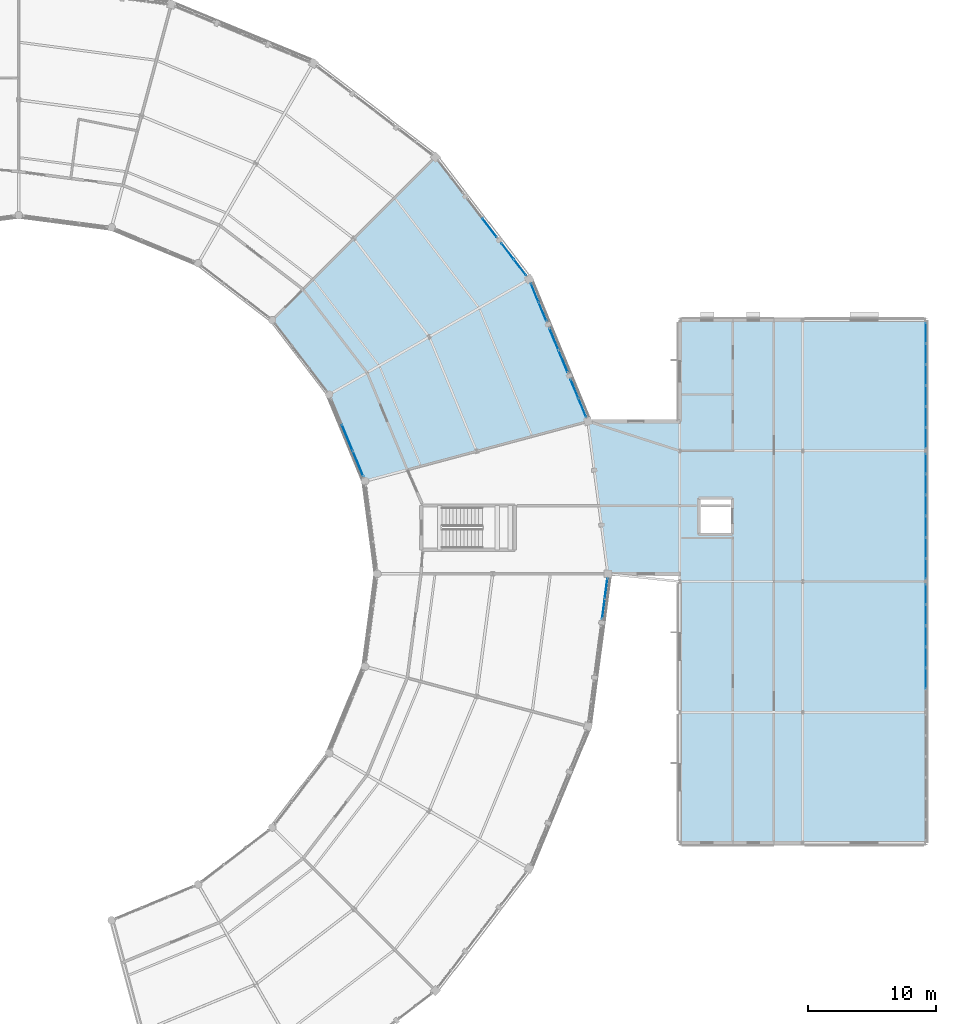
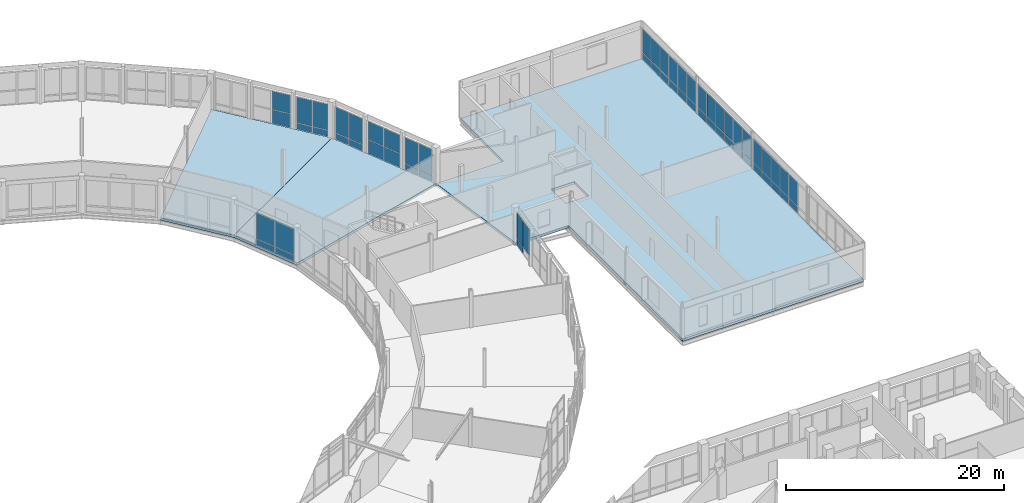
# One storey, part 134 of 170: 59 plates, 3 slabs, 10 elements without a shape of their own.
"""IFC4 building model written with IfcOpenShell, lengths in metres."""

import ifcopenshell
import ifcopenshell.guid

model = None  # the IFC model being written
_history = None  # IfcOwnerHistory: only IFC2X3 demands one
_inside = {}  # id of a spatial element -> (the spatial element, [elements in it])
_under = {}  # id of a project, library or spatial element -> (it, [spatial elements below it])
_declared = {}  # id of a project -> (the project, [libraries it declares])
_typed = {}  # id of a type object -> (the type object, [elements of that type])
_made_of = {}  # id of a material, layer set ... -> (it, [elements and type objects made of it])


def new_model(schema):
    """Start an empty IFC model of exactly this schema.

    Asked for "IFC4X3", IfcOpenShell would pick the latest addendum, in which some entities
    have other attributes; the version numbers below select the first issue.
    IFC2X3 requires an IfcOwnerHistory on every rooted entity: one is made here for all.
    """
    global model, _history
    if schema == "IFC4X3":
        model = ifcopenshell.file(schema_version=(4, 3, 0, 0))
    else:
        model = ifcopenshell.file(schema=schema)
    _inside.clear()
    _under.clear()
    _declared.clear()
    _typed.clear()
    _made_of.clear()
    _history = None
    if model.schema == "IFC2X3":
        org = make("IfcOrganization", Name="unknown")
        user = make(
            "IfcPersonAndOrganization",
            ThePerson=make("IfcPerson", FamilyName="unknown"),
            TheOrganization=org,
        )
        app = make(
            "IfcApplication",
            ApplicationDeveloper=org,
            Version="unknown",
            ApplicationFullName="unknown",
            ApplicationIdentifier="unknown",
        )
        _history = make(
            "IfcOwnerHistory",
            OwningUser=user,
            OwningApplication=app,
            ChangeAction="ADDED",
            CreationDate=0,
        )
    return model


def make(cls, **values):
    """One entity of the class cls with the attributes given. An attribute that is None is left unset."""
    return model.create_entity(
        cls, **{name: value for name, value in values.items() if value is not None}
    )


def rooted(cls, **values):
    """An entity with a GlobalId (a new one), such as an element, a storey or a relation."""
    return make(cls, GlobalId=ifcopenshell.guid.new(), OwnerHistory=_history, **values)


def si_unit(unit_type, name, prefix=None):
    """IfcSIUnit, for example si_unit("LENGTHUNIT", "METRE", prefix="MILLI")."""
    return make("IfcSIUnit", UnitType=unit_type, Prefix=prefix, Name=name)


def assignment(units):
    """IfcUnitAssignment: the units of a project."""
    return None if units is None else make("IfcUnitAssignment", Units=units)


def point(xyz):
    """IfcCartesianPoint."""
    return None if xyz is None else make("IfcCartesianPoint", Coordinates=xyz)


def direction(xyz):
    """IfcDirection."""
    return None if xyz is None else make("IfcDirection", DirectionRatios=xyz)


def frame(location, z_axis=None, x_axis=None):
    """IfcAxis2Placement3D, a coordinate frame: its origin and axes. An axis left out is left unset."""
    return make(
        "IfcAxis2Placement3D",
        Location=point(location),
        Axis=direction(z_axis),
        RefDirection=direction(x_axis),
    )


def frame_2d(location, x_axis=None):
    """IfcAxis2Placement2D, a coordinate frame in the plane: its origin and x axis."""
    return make(
        "IfcAxis2Placement2D", Location=point(location), RefDirection=direction(x_axis)
    )


def origin():
    """The frame at (0, 0, 0) with its axes left unset."""
    return frame((0.0, 0.0, 0.0))


def origin_2d():
    """The frame at (0, 0) in the plane with its x axis left unset."""
    return frame_2d((0.0, 0.0))


def place(relative_to, where):
    """IfcLocalPlacement: puts the frame where relative to a parent placement (None: the world)."""
    return make(
        "IfcLocalPlacement", PlacementRelTo=relative_to, RelativePlacement=where
    )


def context(
    kind, dimensions, precision=None, world=None, true_north=None, identifier=None
):
    """IfcGeometricRepresentationContext, for example the 3D "Model" context."""
    return make(
        "IfcGeometricRepresentationContext",
        ContextIdentifier=identifier,
        ContextType=kind,
        CoordinateSpaceDimension=dimensions,
        Precision=precision,
        WorldCoordinateSystem=world,
        TrueNorth=true_north,
    )


def subcontext(parent, identifier, kind, view, scale=None):
    """IfcGeometricRepresentationSubContext, for example "Body" below "Model"."""
    return make(
        "IfcGeometricRepresentationSubContext",
        ContextIdentifier=identifier,
        ContextType=kind,
        ParentContext=parent,
        TargetScale=scale,
        TargetView=view,
    )


def project(units=None, contexts=None):
    """IfcProject with its units and contexts."""
    return rooted(
        "IfcProject",
        Name="project",
        RepresentationContexts=contexts,
        UnitsInContext=assignment(units),
    )


def spatial(cls, under=None, at=None, **own):
    """A site, building, storey or space (cls), placed at a placement, below another one or the project."""
    s = rooted(cls, ObjectPlacement=at, **own)
    if under is not None:
        _under.setdefault(under.id(), (under, []))[1].append(s)
    return s


def polyline(points):
    """IfcPolyline through the points."""
    return make("IfcPolyline", Points=[point(p) for p in points])


def profile(cls, at=None, kind="AREA", **sizes):
    """A parametric profile (cls). Its sizes go by their IFC names, for example OverallWidth=200.0."""
    return make(cls, ProfileType=kind, Position=at, **sizes)


def rectangle(**sizes):
    """IfcRectangleProfileDef."""
    return profile("IfcRectangleProfileDef", **sizes)


def outline(outer, holes=None, kind="AREA"):
    """IfcArbitraryClosedProfileDef: a profile drawn as a closed curve; with holes, ...WithVoids."""
    if holes is None:
        return make("IfcArbitraryClosedProfileDef", ProfileType=kind, OuterCurve=outer)
    return make(
        "IfcArbitraryProfileDefWithVoids",
        ProfileType=kind,
        OuterCurve=outer,
        InnerCurves=holes,
    )


def extrude(swept, where, along, depth):
    """IfcExtrudedAreaSolid: the profile swept, set in the frame where, extruded along a direction by depth."""
    return make(
        "IfcExtrudedAreaSolid",
        SweptArea=swept,
        Position=where,
        ExtrudedDirection=direction(along),
        Depth=depth,
    )


def shape(context_of_items, identifier, shape_type, items):
    """IfcShapeRepresentation: the items that make up one representation, for example the "Body"."""
    return make(
        "IfcShapeRepresentation",
        ContextOfItems=context_of_items,
        RepresentationIdentifier=identifier,
        RepresentationType=shape_type,
        Items=items,
    )


def material(Name=None, Category=None):
    """IfcMaterial."""
    return make("IfcMaterial", Name=Name, Category=Category)


def layer(
    of_material, thickness, ventilated=None, Name=None, Category=None, Priority=None
):
    """IfcMaterialLayer: one layer of a wall or slab, of a material (None: an air gap)."""
    return make(
        "IfcMaterialLayer",
        Material=of_material,
        LayerThickness=thickness,
        IsVentilated=ventilated,
        Name=Name,
        Category=Category,
        Priority=Priority,
    )


def layer_set(layers, Name=None):
    """IfcMaterialLayerSet."""
    return make("IfcMaterialLayerSet", MaterialLayers=layers, LayerSetName=Name)


def made_of(thing, what):
    """Note that an element or type object is made of a material, layer set ...; save() writes the relation."""
    if what is not None:
        _made_of.setdefault(what.id(), (what, []))[1].append(thing)
    return thing


def type_object(cls, material=None, **own):
    """A type object (cls), such as IfcWallType, which elements share."""
    return made_of(rooted(cls, **own), material)


def element(
    cls,
    number,
    at=None,
    inside=None,
    cuts=None,
    type_object=None,
    material=None,
    context=None,
    identifier="Body",
    shape_type=None,
    held_by="IfcProductDefinitionShape",
    body=None,
    shapes=None,
    **own,
):
    """One element of the class cls, such as IfcWall. Its Tag is "e" and its number.

    at: its placement. inside: the storey or other place that contains it. cuts: it is an
    opening in that element (IfcRelVoidsElement). A single representation is given by context,
    identifier, shape_type and body (its items); several are given by shapes. held_by: the class
    of the entity that holds the representations. save() writes the other relations.
    """
    e = rooted(cls, Tag="e%d" % number, ObjectPlacement=at, **own)
    if body is not None:
        shapes = [shape(context, identifier, shape_type, body)]
    if shapes is not None:
        e.Representation = make(held_by, Representations=shapes)
    if inside is not None:
        _inside.setdefault(inside.id(), (inside, []))[1].append(e)
    if cuts is not None:
        rooted(
            "IfcRelVoidsElement", RelatingBuildingElement=cuts, RelatedOpeningElement=e
        )
    if type_object is not None:
        _typed.setdefault(type_object.id(), (type_object, []))[1].append(e)
    return made_of(e, material)


def aggregate(whole, parts):
    """IfcRelAggregates: a whole, such as a stair, and the parts it consists of."""
    return rooted("IfcRelAggregates", RelatingObject=whole, RelatedObjects=parts)


def save(model, path):
    """Write the relations noted so far, then the file.

    IfcRelAggregates (storeys below a building ...), IfcRelContainedInSpatialStructure (elements
    in a storey), IfcRelDefinesByType, IfcRelAssociatesMaterial and IfcRelDeclares: one each for
    every whole, place, type object, material and project.
    """
    for whole, parts in _under.values():
        aggregate(whole, parts)
    for where, things in _inside.values():
        rooted(
            "IfcRelContainedInSpatialStructure",
            RelatedElements=things,
            RelatingStructure=where,
        )
    for kind, things in _typed.values():
        rooted("IfcRelDefinesByType", RelatedObjects=things, RelatingType=kind)
    for what, things in _made_of.values():
        rooted("IfcRelAssociatesMaterial", RelatedObjects=things, RelatingMaterial=what)
    for by, libraries in _declared.values():
        rooted("IfcRelDeclares", RelatingContext=by, RelatedDefinitions=libraries)
    model.write(path)


model = new_model("IFC4")

# Units and contexts
model_context = context("Model", 3, precision=1e-05, world=origin(), true_north=direction((0.0, 1.0)))
body_context = subcontext(model_context, "Body", "Model", "MODEL_VIEW")
ifc_project = project(units=[si_unit("LENGTHUNIT", "METRE"), si_unit("AREAUNIT", "SQUARE_METRE"), si_unit("VOLUMEUNIT", "CUBIC_METRE"), si_unit("PLANEANGLEUNIT", "RADIAN"), si_unit("MASSUNIT", "GRAM", prefix="KILO")], contexts=[model_context])

# Site, building, storey
site_placement = place(None, origin())
site = spatial("IfcSite", under=ifc_project, at=site_placement, CompositionType="ELEMENT")
building_placement = place(site_placement, origin())
building = spatial("IfcBuilding", under=site, at=building_placement, Name="Vondelvale Polytechnic", CompositionType="ELEMENT")
storey_placement = place(building_placement, frame((0.0, 0.0, 5.39990234375)))
storey = spatial("IfcBuildingStorey", under=building, at=storey_placement, Name="L01", CompositionType="ELEMENT", Elevation=5.39990234375)

# Curtain wall, plates
ifc_material_1 = material(Name="Anodised extruded aluminium 6063-T6", Category="aluminium")
curtain_wall_type_1 = type_object("IfcCurtainWallType", Name="CW-RING-CLOISTER", PredefinedType="NOTDEFINED", material=ifc_material_1)
curtain_wall_1_placement = place(storey_placement, origin())
curtain_wall_1 = element("IfcCurtainWall", 1, at=curtain_wall_1_placement, inside=storey, type_object=curtain_wall_type_1, Name="L01 architectural curtain wall CW-03-077", PredefinedType="NOTDEFINED")
ifc_material_2 = material(Name="Double-glazed low-E insulated architectural glass", Category="glass")
ifc_layer_1 = layer(ifc_material_2, 0.028076171875)
ifc_layer_set_1 = layer_set([ifc_layer_1], Name="CW-PANEL-GLAZED")
plate_type_1 = type_object("IfcPlateType", Name="CW-PANEL-GLAZED", PredefinedType="CURTAIN_PANEL", material=ifc_layer_set_1)
plate_1_placement = place(storey_placement, frame((128.48876953125, 80.591796875, 0.78271484375), z_axis=(0.0, 0.0, 1.0), x_axis=(-0.382678531697, 0.923881562419, 0.0)))
plate_1 = element("IfcPlate", 2, at=plate_1_placement, type_object=plate_type_1, Name="CW-03-077 panel 1.2", PredefinedType="CURTAIN_PANEL", context=body_context, shape_type="SweptSolid", body=[
    extrude(rectangle(XDim=2.111572265625, YDim=0.028076171875, at=origin_2d()), origin(), (0.0, 0.0, 1.0), 2.902587890625),
])
plate_2_placement = place(storey_placement, frame((127.647216796875, 82.62353515625, 0.78271484375), z_axis=(0.0, 0.0, 1.0), x_axis=(-0.382678531697, 0.923881562419, 0.0)))
plate_2 = element("IfcPlate", 3, at=plate_2_placement, type_object=plate_type_1, Name="CW-03-077 panel 2.2", PredefinedType="CURTAIN_PANEL", context=body_context, shape_type="SweptSolid", body=[
    extrude(rectangle(XDim=2.146484375, YDim=0.028076171875, at=origin_2d()), origin(), (0.0, 0.0, 1.0), 2.902587890625),
])

ifc_material_3 = material(Name="Glulam GL18 structural Tasmanian oak (fb = 42 MPa)", Category="wood")
curtain_wall_type_2 = type_object("IfcCurtainWallType", Name="CW-RING-OUTER", PredefinedType="NOTDEFINED", material=ifc_material_3)
curtain_wall_2_placement = place(storey_placement, origin())
curtain_wall_2 = element("IfcCurtainWall", 4, at=curtain_wall_2_placement, inside=storey, type_object=curtain_wall_type_2, Name="L01 architectural curtain wall CW-04-078", PredefinedType="NOTDEFINED")
plate_3_placement = place(storey_placement, frame((145.98779296875, 84.97998046875, 0.7802734375), z_axis=(0.0, 0.0, 1.0), x_axis=(-0.382677394529, 0.923882033442, 0.0)))
plate_3 = element("IfcPlate", 5, at=plate_3_placement, type_object=plate_type_1, Name="CW-04-078 panel 1.2", PredefinedType="CURTAIN_PANEL", context=body_context, shape_type="SweptSolid", body=[
    extrude(rectangle(XDim=1.530029296875, YDim=0.028076171875, at=origin_2d()), origin(), (0.0, 0.0, 1.0), 2.8798828125),
])
plate_4_placement = place(storey_placement, frame((145.377197265625, 86.453369140625, 0.7802734375), z_axis=(0.0, 0.0, 1.0), x_axis=(-0.382677394529, 0.923882033442, 0.0)))
plate_4 = element("IfcPlate", 6, at=plate_4_placement, type_object=plate_type_1, Name="CW-04-078 panel 2.2", PredefinedType="CURTAIN_PANEL", context=body_context, shape_type="SweptSolid", body=[
    extrude(rectangle(XDim=1.530029296875, YDim=0.028076171875, at=origin_2d()), origin(), (0.0, 0.0, 1.0), 2.8798828125),
])

curtain_wall_3_placement = place(storey_placement, origin())
curtain_wall_3 = element("IfcCurtainWall", 7, at=curtain_wall_3_placement, inside=storey, type_object=curtain_wall_type_2, Name="L01 architectural curtain wall CW-04-079", PredefinedType="NOTDEFINED")
plate_5_placement = place(storey_placement, frame((144.493408203125, 88.587158203125, 1.6298828125), z_axis=(0.0, 0.0, 1.0), x_axis=(-0.382694599123, 0.92387490701, 0.0)))
plate_5 = element("IfcPlate", 8, at=plate_5_placement, type_object=plate_type_1, Name="CW-04-079 panel 1.2", PredefinedType="CURTAIN_PANEL", context=body_context, shape_type="SweptSolid", body=[
    extrude(rectangle(XDim=1.80908203125, YDim=0.028076171875, at=origin_2d()), origin(), (0.0, 0.0, 1.0), 2.030029296875),
])
plate_6_placement = place(storey_placement, frame((143.7763671875, 90.318603515625, 1.6298828125), z_axis=(0.0, 0.0, 1.0), x_axis=(-0.382694599123, 0.92387490701, 0.0)))
plate_6 = element("IfcPlate", 9, at=plate_6_placement, type_object=plate_type_1, Name="CW-04-079 panel 2.2", PredefinedType="CURTAIN_PANEL", context=body_context, shape_type="SweptSolid", body=[
    extrude(rectangle(XDim=1.80908203125, YDim=0.028076171875, at=origin_2d()), origin(), (0.0, 0.0, 1.0), 2.030029296875),
])

curtain_wall_4_placement = place(storey_placement, origin())
curtain_wall_4 = element("IfcCurtainWall", 10, at=curtain_wall_4_placement, inside=storey, type_object=curtain_wall_type_2, Name="L01 architectural curtain wall CW-04-080", PredefinedType="NOTDEFINED")
plate_7_placement = place(storey_placement, frame((142.892578125, 92.4521484375, 0.7802734375), z_axis=(0.0, 0.0, 1.0), x_axis=(-0.382677394529, 0.923882033442, 0.0)))
plate_7 = element("IfcPlate", 11, at=plate_7_placement, type_object=plate_type_1, Name="CW-04-080 panel 1.2", PredefinedType="CURTAIN_PANEL", context=body_context, shape_type="SweptSolid", body=[
    extrude(rectangle(XDim=1.530029296875, YDim=0.028076171875, at=origin_2d()), origin(), (0.0, 0.0, 1.0), 2.8798828125),
])
plate_8_placement = place(storey_placement, frame((142.2822265625, 93.92578125, 0.7802734375), z_axis=(0.0, 0.0, 1.0), x_axis=(-0.382677394529, 0.923882033442, 0.0)))
plate_8 = element("IfcPlate", 12, at=plate_8_placement, type_object=plate_type_1, Name="CW-04-080 panel 2.2", PredefinedType="CURTAIN_PANEL", context=body_context, shape_type="SweptSolid", body=[
    extrude(rectangle(XDim=1.530029296875, YDim=0.028076171875, at=origin_2d()), origin(), (0.0, 0.0, 1.0), 2.8798828125),
])

curtain_wall_5_placement = place(storey_placement, origin())
curtain_wall_5 = element("IfcCurtainWall", 13, at=curtain_wall_5_placement, inside=storey, type_object=curtain_wall_type_2, Name="L01 architectural curtain wall CW-04-090", PredefinedType="NOTDEFINED")
plate_9_placement = place(storey_placement, frame((141.12939453125, 95.92236328125, 0.7802734375), z_axis=(0.0, 0.0, 1.0), x_axis=(-0.608786860133, 0.793333825656, 0.0)))
plate_9 = element("IfcPlate", 14, at=plate_9_placement, type_object=plate_type_1, Name="CW-04-090 panel 1.2", PredefinedType="CURTAIN_PANEL", context=body_context, shape_type="SweptSolid", body=[
    extrude(rectangle(XDim=1.530029296875, YDim=0.028076171875, at=origin_2d()), origin(), (0.0, 0.0, 1.0), 2.8798828125),
])
plate_10_placement = place(storey_placement, frame((140.158447265625, 97.187744140625, 0.7802734375), z_axis=(0.0, 0.0, 1.0), x_axis=(-0.608786860133, 0.793333825656, 0.0)))
plate_10 = element("IfcPlate", 15, at=plate_10_placement, type_object=plate_type_1, Name="CW-04-090 panel 2.2", PredefinedType="CURTAIN_PANEL", context=body_context, shape_type="SweptSolid", body=[
    extrude(rectangle(XDim=1.530029296875, YDim=0.028076171875, at=origin_2d()), origin(), (0.0, 0.0, 1.0), 2.8798828125),
])

curtain_wall_6_placement = place(storey_placement, origin())
curtain_wall_6 = element("IfcCurtainWall", 16, at=curtain_wall_6_placement, inside=storey, type_object=curtain_wall_type_2, Name="L01 architectural curtain wall CW-04-377", PredefinedType="NOTDEFINED")
plate_11_placement = place(storey_placement, frame((147.64013671875, 69.265869140625, 0.7802734375), z_axis=(0.0, 0.0, 1.0), x_axis=(0.130539547729, 0.991443102996, 0.0)))
plate_11 = element("IfcPlate", 17, at=plate_11_placement, type_object=plate_type_1, Name="CW-04-377 panel 1.2", PredefinedType="CURTAIN_PANEL", context=body_context, shape_type="SweptSolid", body=[
    extrude(rectangle(XDim=1.530029296875, YDim=0.028076171875, at=origin_2d()), origin(), (0.0, 0.0, 1.0), 2.8798828125),
])
plate_12_placement = place(storey_placement, frame((147.84814453125, 70.84716796875, 0.7802734375), z_axis=(0.0, 0.0, 1.0), x_axis=(0.130539547729, 0.991443102996, 0.0)))
plate_12 = element("IfcPlate", 18, at=plate_12_placement, type_object=plate_type_1, Name="CW-04-377 panel 2.2", PredefinedType="CURTAIN_PANEL", context=body_context, shape_type="SweptSolid", body=[
    extrude(rectangle(XDim=1.530029296875, YDim=0.028076171875, at=origin_2d()), origin(), (0.0, 0.0, 1.0), 2.8798828125),
])

curtain_wall_type_3 = type_object("IfcCurtainWallType", Name="CW-REFECTORY", PredefinedType="NOTDEFINED", material=ifc_material_1)
curtain_wall_7_placement = place(storey_placement, origin())
curtain_wall_7 = element("IfcCurtainWall", 19, at=curtain_wall_7_placement, inside=storey, type_object=curtain_wall_type_3, Name="L01 architectural curtain wall CW-05-390", PredefinedType="NOTDEFINED")
plate_13_placement = place(storey_placement, frame((172.800048828125, 63.830078125, 0.882568359375), z_axis=(0.0, 0.0, 1.0), x_axis=(0.0, 1.0, 0.0)))
plate_13 = element("IfcPlate", 20, at=plate_13_placement, type_object=plate_type_1, Name="CW-05-390 panel 2.2", PredefinedType="CURTAIN_PANEL", context=body_context, shape_type="SweptSolid", body=[
    extrude(rectangle(XDim=1.57666015625, YDim=0.028076171875, at=origin_2d()), origin(), (0.0, 0.0, 1.0), 2.6025390625),
])
plate_14_placement = place(storey_placement, frame((172.800048828125, 65.4765625, 0.882568359375), z_axis=(0.0, 0.0, 1.0), x_axis=(0.0, 1.0, 0.0)))
plate_14 = element("IfcPlate", 21, at=plate_14_placement, type_object=plate_type_1, Name="CW-05-390 panel 3.2", PredefinedType="CURTAIN_PANEL", context=body_context, shape_type="SweptSolid", body=[
    extrude(rectangle(XDim=1.57666015625, YDim=0.028076171875, at=origin_2d()), origin(), (0.0, 0.0, 1.0), 2.6025390625),
])
plate_15_placement = place(storey_placement, frame((172.800048828125, 67.123291015625, 0.882568359375), z_axis=(0.0, 0.0, 1.0), x_axis=(0.0, 1.0, 0.0)))
plate_15 = element("IfcPlate", 22, at=plate_15_placement, type_object=plate_type_1, Name="CW-05-390 panel 4.2", PredefinedType="CURTAIN_PANEL", context=body_context, shape_type="SweptSolid", body=[
    extrude(rectangle(XDim=1.57666015625, YDim=0.028076171875, at=origin_2d()), origin(), (0.0, 0.0, 1.0), 2.6025390625),
])
plate_16_placement = place(storey_placement, frame((172.800048828125, 68.77001953125, 0.882568359375), z_axis=(0.0, 0.0, 1.0), x_axis=(0.0, 1.0, 0.0)))
plate_16 = element("IfcPlate", 23, at=plate_16_placement, type_object=plate_type_1, Name="CW-05-390 panel 5.2", PredefinedType="CURTAIN_PANEL", context=body_context, shape_type="SweptSolid", body=[
    extrude(rectangle(XDim=1.57666015625, YDim=0.028076171875, at=origin_2d()), origin(), (0.0, 0.0, 1.0), 2.6025390625),
])
plate_17_placement = place(storey_placement, frame((172.800048828125, 70.399169921875, 0.882568359375), z_axis=(0.0, 0.0, 1.0), x_axis=(0.0, 1.0, 0.0)))
plate_17 = element("IfcPlate", 24, at=plate_17_placement, type_object=plate_type_1, Name="CW-05-390 panel 6.2", PredefinedType="CURTAIN_PANEL", context=body_context, shape_type="SweptSolid", body=[
    extrude(rectangle(XDim=1.541748046875, YDim=0.028076171875, at=origin_2d()), origin(), (0.0, 0.0, 1.0), 2.6025390625),
])

curtain_wall_8_placement = place(storey_placement, origin())
curtain_wall_8 = element("IfcCurtainWall", 25, at=curtain_wall_8_placement, inside=storey, type_object=curtain_wall_type_3, Name="L01 architectural curtain wall CW-05-391", PredefinedType="NOTDEFINED")
plate_18_placement = place(storey_placement, frame((172.800048828125, 72.40087890625, 0.882568359375), z_axis=(0.0, 0.0, 1.0), x_axis=(0.0, 1.0, 0.0)))
plate_18 = element("IfcPlate", 26, at=plate_18_placement, type_object=plate_type_1, Name="CW-05-391 panel 1.2", PredefinedType="CURTAIN_PANEL", context=body_context, shape_type="SweptSolid", body=[
    extrude(rectangle(XDim=1.541748046875, YDim=0.028076171875, at=origin_2d()), origin(), (0.0, 0.0, 1.0), 2.6025390625),
])
plate_19_placement = place(storey_placement, frame((172.800048828125, 74.030029296875, 0.882568359375), z_axis=(0.0, 0.0, 1.0), x_axis=(0.0, 1.0, 0.0)))
plate_19 = element("IfcPlate", 27, at=plate_19_placement, type_object=plate_type_1, Name="CW-05-391 panel 2.2", PredefinedType="CURTAIN_PANEL", context=body_context, shape_type="SweptSolid", body=[
    extrude(rectangle(XDim=1.57666015625, YDim=0.028076171875, at=origin_2d()), origin(), (0.0, 0.0, 1.0), 2.6025390625),
])
plate_20_placement = place(storey_placement, frame((172.800048828125, 75.6767578125, 0.882568359375), z_axis=(0.0, 0.0, 1.0), x_axis=(0.0, 1.0, 0.0)))
plate_20 = element("IfcPlate", 28, at=plate_20_placement, type_object=plate_type_1, Name="CW-05-391 panel 3.2", PredefinedType="CURTAIN_PANEL", context=body_context, shape_type="SweptSolid", body=[
    extrude(rectangle(XDim=1.57666015625, YDim=0.028076171875, at=origin_2d()), origin(), (0.0, 0.0, 1.0), 2.6025390625),
])
plate_21_placement = place(storey_placement, frame((172.800048828125, 77.3232421875, 0.882568359375), z_axis=(0.0, 0.0, 1.0), x_axis=(0.0, 1.0, 0.0)))
plate_21 = element("IfcPlate", 29, at=plate_21_placement, type_object=plate_type_1, Name="CW-05-391 panel 4.2", PredefinedType="CURTAIN_PANEL", context=body_context, shape_type="SweptSolid", body=[
    extrude(rectangle(XDim=1.57666015625, YDim=0.028076171875, at=origin_2d()), origin(), (0.0, 0.0, 1.0), 2.6025390625),
])
plate_22_placement = place(storey_placement, frame((172.800048828125, 78.969970703125, 0.882568359375), z_axis=(0.0, 0.0, 1.0), x_axis=(0.0, 1.0, 0.0)))
plate_22 = element("IfcPlate", 30, at=plate_22_placement, type_object=plate_type_1, Name="CW-05-391 panel 5.2", PredefinedType="CURTAIN_PANEL", context=body_context, shape_type="SweptSolid", body=[
    extrude(rectangle(XDim=1.57666015625, YDim=0.028076171875, at=origin_2d()), origin(), (0.0, 0.0, 1.0), 2.6025390625),
])
plate_23_placement = place(storey_placement, frame((172.800048828125, 80.59912109375, 0.882568359375), z_axis=(0.0, 0.0, 1.0), x_axis=(0.0, 1.0, 0.0)))
plate_23 = element("IfcPlate", 31, at=plate_23_placement, type_object=plate_type_1, Name="CW-05-391 panel 6.2", PredefinedType="CURTAIN_PANEL", context=body_context, shape_type="SweptSolid", body=[
    extrude(rectangle(XDim=1.541748046875, YDim=0.028076171875, at=origin_2d()), origin(), (0.0, 0.0, 1.0), 2.6025390625),
])

curtain_wall_9_placement = place(storey_placement, origin())
curtain_wall_9 = element("IfcCurtainWall", 32, at=curtain_wall_9_placement, inside=storey, type_object=curtain_wall_type_3, Name="L01 architectural curtain wall CW-05-392", PredefinedType="NOTDEFINED")
plate_24_placement = place(storey_placement, frame((172.800048828125, 82.600830078125, 0.882568359375), z_axis=(0.0, 0.0, 1.0), x_axis=(0.0, 1.0, 0.0)))
plate_24 = element("IfcPlate", 33, at=plate_24_placement, type_object=plate_type_1, Name="CW-05-392 panel 1.2", PredefinedType="CURTAIN_PANEL", context=body_context, shape_type="SweptSolid", body=[
    extrude(rectangle(XDim=1.541748046875, YDim=0.028076171875, at=origin_2d()), origin(), (0.0, 0.0, 1.0), 2.6025390625),
])
plate_25_placement = place(storey_placement, frame((172.800048828125, 84.22998046875, 0.882568359375), z_axis=(0.0, 0.0, 1.0), x_axis=(0.0, 1.0, 0.0)))
plate_25 = element("IfcPlate", 34, at=plate_25_placement, type_object=plate_type_1, Name="CW-05-392 panel 2.2", PredefinedType="CURTAIN_PANEL", context=body_context, shape_type="SweptSolid", body=[
    extrude(rectangle(XDim=1.57666015625, YDim=0.028076171875, at=origin_2d()), origin(), (0.0, 0.0, 1.0), 2.6025390625),
])
plate_26_placement = place(storey_placement, frame((172.800048828125, 85.876708984375, 0.882568359375), z_axis=(0.0, 0.0, 1.0), x_axis=(0.0, 1.0, 0.0)))
plate_26 = element("IfcPlate", 35, at=plate_26_placement, type_object=plate_type_1, Name="CW-05-392 panel 3.2", PredefinedType="CURTAIN_PANEL", context=body_context, shape_type="SweptSolid", body=[
    extrude(rectangle(XDim=1.57666015625, YDim=0.028076171875, at=origin_2d()), origin(), (0.0, 0.0, 1.0), 2.6025390625),
])
plate_27_placement = place(storey_placement, frame((172.800048828125, 87.5234375, 0.882568359375), z_axis=(0.0, 0.0, 1.0), x_axis=(0.0, 1.0, 0.0)))
plate_27 = element("IfcPlate", 36, at=plate_27_placement, type_object=plate_type_1, Name="CW-05-392 panel 4.2", PredefinedType="CURTAIN_PANEL", context=body_context, shape_type="SweptSolid", body=[
    extrude(rectangle(XDim=1.57666015625, YDim=0.028076171875, at=origin_2d()), origin(), (0.0, 0.0, 1.0), 2.6025390625),
])
plate_28_placement = place(storey_placement, frame((172.800048828125, 89.169921875, 0.882568359375), z_axis=(0.0, 0.0, 1.0), x_axis=(0.0, 1.0, 0.0)))
plate_28 = element("IfcPlate", 37, at=plate_28_placement, type_object=plate_type_1, Name="CW-05-392 panel 5.2", PredefinedType="CURTAIN_PANEL", context=body_context, shape_type="SweptSolid", body=[
    extrude(rectangle(XDim=1.57666015625, YDim=0.028076171875, at=origin_2d()), origin(), (0.0, 0.0, 1.0), 2.6025390625),
])
plate_29_placement = place(storey_placement, frame((172.800048828125, 90.799072265625, 0.882568359375), z_axis=(0.0, 0.0, 1.0), x_axis=(0.0, 1.0, 0.0)))
plate_29 = element("IfcPlate", 38, at=plate_29_placement, type_object=plate_type_1, Name="CW-05-392 panel 6.2", PredefinedType="CURTAIN_PANEL", context=body_context, shape_type="SweptSolid", body=[
    extrude(rectangle(XDim=1.541748046875, YDim=0.028076171875, at=origin_2d()), origin(), (0.0, 0.0, 1.0), 2.6025390625),
])

# Plate
ifc_material_4 = material(Name="Engineered Tasmanian oak studio and bridge joinery")
ifc_layer_2 = layer(ifc_material_4, 0.0419921875)
ifc_layer_set_2 = layer_set([ifc_layer_2], Name="CW-PANEL-OAK")
plate_type_2 = type_object("IfcPlateType", Name="CW-PANEL-OAK", PredefinedType="CURTAIN_PANEL", material=ifc_layer_set_2)
plate_30_placement = place(storey_placement, frame((128.48876953125, 80.591796875, 0.06494140625), z_axis=(0.0, 0.0, 1.0), x_axis=(-0.382678531697, 0.923881562419, 0.0)))
plate_30 = element("IfcPlate", 39, at=plate_30_placement, type_object=plate_type_2, Name="CW-03-077 panel 1.1", PredefinedType="CURTAIN_PANEL", context=body_context, shape_type="SweptSolid", body=[
    extrude(rectangle(XDim=2.111572265625, YDim=0.0419921875, at=origin_2d()), origin(), (0.0, 0.0, 1.0), 0.652587890625),
])

plate_31_placement = place(storey_placement, frame((127.647216796875, 82.62353515625, 0.06494140625), z_axis=(0.0, 0.0, 1.0), x_axis=(-0.382678531697, 0.923881562419, 0.0)))
plate_31 = element("IfcPlate", 40, at=plate_31_placement, type_object=plate_type_2, Name="CW-03-077 panel 2.1", PredefinedType="CURTAIN_PANEL", context=body_context, shape_type="SweptSolid", body=[
    extrude(rectangle(XDim=2.146484375, YDim=0.0419921875, at=origin_2d()), origin(), (0.0, 0.0, 1.0), 0.652587890625),
])

aggregate(curtain_wall_1, [plate_30, plate_1, plate_31, plate_2])

plate_32_placement = place(storey_placement, frame((144.493408203125, 88.587158203125, 0.06005859375), z_axis=(0.0, 0.0, 1.0), x_axis=(-0.382694599123, 0.92387490701, 0.0)))
plate_32 = element("IfcPlate", 41, at=plate_32_placement, type_object=plate_type_2, Name="CW-04-079 panel 1.1", PredefinedType="CURTAIN_PANEL", context=body_context, shape_type="SweptSolid", body=[
    extrude(rectangle(XDim=1.80908203125, YDim=0.0419921875, at=origin_2d()), origin(), (0.0, 0.0, 1.0), 1.510009765625),
])

plate_33_placement = place(storey_placement, frame((143.7763671875, 90.318603515625, 0.06005859375), z_axis=(0.0, 0.0, 1.0), x_axis=(-0.382694599123, 0.92387490701, 0.0)))
plate_33 = element("IfcPlate", 42, at=plate_33_placement, type_object=plate_type_2, Name="CW-04-079 panel 2.1", PredefinedType="CURTAIN_PANEL", context=body_context, shape_type="SweptSolid", body=[
    extrude(rectangle(XDim=1.80908203125, YDim=0.0419921875, at=origin_2d()), origin(), (0.0, 0.0, 1.0), 1.510009765625),
])

aggregate(curtain_wall_3, [plate_32, plate_5, plate_33, plate_6])

# Curtain wall, plates
curtain_wall_10_placement = place(storey_placement, origin())
curtain_wall_10 = element("IfcCurtainWall", 43, at=curtain_wall_10_placement, inside=storey, type_object=curtain_wall_type_2, Name="L01 architectural curtain wall CW-04-091", PredefinedType="NOTDEFINED")
plate_34_placement = place(storey_placement, frame((138.75244140625, 99.02001953125, 0.06005859375), z_axis=(0.0, 0.0, 1.0), x_axis=(-0.608771189063, 0.793345851043, 0.0)))
plate_34 = element("IfcPlate", 44, at=plate_34_placement, type_object=plate_type_2, Name="CW-04-091 panel 1.1", PredefinedType="CURTAIN_PANEL", context=body_context, shape_type="SweptSolid", body=[
    extrude(rectangle(XDim=1.80908203125, YDim=0.0419921875, at=origin_2d()), origin(), (0.0, 0.0, 1.0), 1.510009765625),
])
plate_35_placement = place(storey_placement, frame((138.75244140625, 99.02001953125, 1.6298828125), z_axis=(0.0, 0.0, 1.0), x_axis=(-0.608771189063, 0.793345851043, 0.0)))
plate_35 = element("IfcPlate", 45, at=plate_35_placement, type_object=plate_type_2, Name="CW-04-091 panel 1.2", PredefinedType="CURTAIN_PANEL", context=body_context, shape_type="SweptSolid", body=[
    extrude(rectangle(XDim=1.80908203125, YDim=0.0419921875, at=origin_2d()), origin(), (0.0, 0.0, 1.0), 2.030029296875),
])
aggregate(curtain_wall_10, [plate_34, plate_35])

# Plate
ifc_material_5 = material(Name="Kiln-fired architectural terracotta", Category="masonry")
ifc_layer_3 = layer(ifc_material_5, 0.035888671875)
ifc_layer_set_3 = layer_set([ifc_layer_3], Name="CW-PANEL-SPANDREL")
plate_type_3 = type_object("IfcPlateType", Name="CW-PANEL-SPANDREL", PredefinedType="CURTAIN_PANEL", material=ifc_layer_set_3)
plate_36_placement = place(storey_placement, frame((145.98779296875, 84.97998046875, 0.06005859375), z_axis=(0.0, 0.0, 1.0), x_axis=(-0.382677394529, 0.923882033442, 0.0)))
plate_36 = element("IfcPlate", 46, at=plate_36_placement, type_object=plate_type_3, Name="CW-04-078 panel 1.1", PredefinedType="CURTAIN_PANEL", context=body_context, shape_type="SweptSolid", body=[
    extrude(rectangle(XDim=1.530029296875, YDim=0.035888671875, at=origin_2d()), origin(), (0.0, 0.0, 1.0), 0.659912109375),
])

plate_37_placement = place(storey_placement, frame((145.377197265625, 86.453369140625, 0.06005859375), z_axis=(0.0, 0.0, 1.0), x_axis=(-0.382677394529, 0.923882033442, 0.0)))
plate_37 = element("IfcPlate", 47, at=plate_37_placement, type_object=plate_type_3, Name="CW-04-078 panel 2.1", PredefinedType="CURTAIN_PANEL", context=body_context, shape_type="SweptSolid", body=[
    extrude(rectangle(XDim=1.530029296875, YDim=0.035888671875, at=origin_2d()), origin(), (0.0, 0.0, 1.0), 0.659912109375),
])

aggregate(curtain_wall_2, [plate_36, plate_3, plate_37, plate_4])

plate_38_placement = place(storey_placement, frame((142.892578125, 92.4521484375, 0.06005859375), z_axis=(0.0, 0.0, 1.0), x_axis=(-0.382677394529, 0.923882033442, 0.0)))
plate_38 = element("IfcPlate", 48, at=plate_38_placement, type_object=plate_type_3, Name="CW-04-080 panel 1.1", PredefinedType="CURTAIN_PANEL", context=body_context, shape_type="SweptSolid", body=[
    extrude(rectangle(XDim=1.530029296875, YDim=0.035888671875, at=origin_2d()), origin(), (0.0, 0.0, 1.0), 0.659912109375),
])

plate_39_placement = place(storey_placement, frame((142.2822265625, 93.92578125, 0.06005859375), z_axis=(0.0, 0.0, 1.0), x_axis=(-0.382677394529, 0.923882033442, 0.0)))
plate_39 = element("IfcPlate", 49, at=plate_39_placement, type_object=plate_type_3, Name="CW-04-080 panel 2.1", PredefinedType="CURTAIN_PANEL", context=body_context, shape_type="SweptSolid", body=[
    extrude(rectangle(XDim=1.530029296875, YDim=0.035888671875, at=origin_2d()), origin(), (0.0, 0.0, 1.0), 0.659912109375),
])

aggregate(curtain_wall_4, [plate_38, plate_7, plate_39, plate_8])

plate_40_placement = place(storey_placement, frame((141.12939453125, 95.92236328125, 0.06005859375), z_axis=(0.0, 0.0, 1.0), x_axis=(-0.608786860133, 0.793333825656, 0.0)))
plate_40 = element("IfcPlate", 50, at=plate_40_placement, type_object=plate_type_3, Name="CW-04-090 panel 1.1", PredefinedType="CURTAIN_PANEL", context=body_context, shape_type="SweptSolid", body=[
    extrude(rectangle(XDim=1.530029296875, YDim=0.035888671875, at=origin_2d()), origin(), (0.0, 0.0, 1.0), 0.659912109375),
])

plate_41_placement = place(storey_placement, frame((140.158447265625, 97.187744140625, 0.06005859375), z_axis=(0.0, 0.0, 1.0), x_axis=(-0.608786860133, 0.793333825656, 0.0)))
plate_41 = element("IfcPlate", 51, at=plate_41_placement, type_object=plate_type_3, Name="CW-04-090 panel 2.1", PredefinedType="CURTAIN_PANEL", context=body_context, shape_type="SweptSolid", body=[
    extrude(rectangle(XDim=1.530029296875, YDim=0.035888671875, at=origin_2d()), origin(), (0.0, 0.0, 1.0), 0.659912109375),
])

aggregate(curtain_wall_5, [plate_40, plate_9, plate_41, plate_10])

plate_42_placement = place(storey_placement, frame((147.84814453125, 70.84716796875, 0.06005859375), z_axis=(0.0, 0.0, 1.0), x_axis=(0.130539547729, 0.991443102996, 0.0)))
plate_42 = element("IfcPlate", 52, at=plate_42_placement, type_object=plate_type_3, Name="CW-04-377 panel 2.1", PredefinedType="CURTAIN_PANEL", context=body_context, shape_type="SweptSolid", body=[
    extrude(rectangle(XDim=1.530029296875, YDim=0.035888671875, at=origin_2d()), origin(), (0.0, 0.0, 1.0), 0.659912109375),
])

aggregate(curtain_wall_6, [plate_11, plate_42, plate_12])

plate_43_placement = place(storey_placement, frame((172.800048828125, 63.830078125, 0.065185546875), z_axis=(0.0, 0.0, 1.0), x_axis=(0.0, 1.0, 0.0)))
plate_43 = element("IfcPlate", 53, at=plate_43_placement, type_object=plate_type_3, Name="CW-05-390 panel 2.1", PredefinedType="CURTAIN_PANEL", context=body_context, shape_type="SweptSolid", body=[
    extrude(rectangle(XDim=1.57666015625, YDim=0.035888671875, at=origin_2d()), origin(), (0.0, 0.0, 1.0), 0.75244140625),
])

plate_44_placement = place(storey_placement, frame((172.800048828125, 65.4765625, 0.065185546875), z_axis=(0.0, 0.0, 1.0), x_axis=(0.0, 1.0, 0.0)))
plate_44 = element("IfcPlate", 54, at=plate_44_placement, type_object=plate_type_3, Name="CW-05-390 panel 3.1", PredefinedType="CURTAIN_PANEL", context=body_context, shape_type="SweptSolid", body=[
    extrude(rectangle(XDim=1.57666015625, YDim=0.035888671875, at=origin_2d()), origin(), (0.0, 0.0, 1.0), 0.75244140625),
])

plate_45_placement = place(storey_placement, frame((172.800048828125, 67.123291015625, 0.065185546875), z_axis=(0.0, 0.0, 1.0), x_axis=(0.0, 1.0, 0.0)))
plate_45 = element("IfcPlate", 55, at=plate_45_placement, type_object=plate_type_3, Name="CW-05-390 panel 4.1", PredefinedType="CURTAIN_PANEL", context=body_context, shape_type="SweptSolid", body=[
    extrude(rectangle(XDim=1.57666015625, YDim=0.035888671875, at=origin_2d()), origin(), (0.0, 0.0, 1.0), 0.75244140625),
])

plate_46_placement = place(storey_placement, frame((172.800048828125, 68.77001953125, 0.065185546875), z_axis=(0.0, 0.0, 1.0), x_axis=(0.0, 1.0, 0.0)))
plate_46 = element("IfcPlate", 56, at=plate_46_placement, type_object=plate_type_3, Name="CW-05-390 panel 5.1", PredefinedType="CURTAIN_PANEL", context=body_context, shape_type="SweptSolid", body=[
    extrude(rectangle(XDim=1.57666015625, YDim=0.035888671875, at=origin_2d()), origin(), (0.0, 0.0, 1.0), 0.75244140625),
])

plate_47_placement = place(storey_placement, frame((172.800048828125, 70.399169921875, 0.065185546875), z_axis=(0.0, 0.0, 1.0), x_axis=(0.0, 1.0, 0.0)))
plate_47 = element("IfcPlate", 57, at=plate_47_placement, type_object=plate_type_3, Name="CW-05-390 panel 6.1", PredefinedType="CURTAIN_PANEL", context=body_context, shape_type="SweptSolid", body=[
    extrude(rectangle(XDim=1.541748046875, YDim=0.035888671875, at=origin_2d()), origin(), (0.0, 0.0, 1.0), 0.75244140625),
])

aggregate(curtain_wall_7, [plate_43, plate_13, plate_44, plate_14, plate_45, plate_15, plate_46, plate_16, plate_47, plate_17])

plate_48_placement = place(storey_placement, frame((172.800048828125, 72.40087890625, 0.065185546875), z_axis=(0.0, 0.0, 1.0), x_axis=(0.0, 1.0, 0.0)))
plate_48 = element("IfcPlate", 58, at=plate_48_placement, type_object=plate_type_3, Name="CW-05-391 panel 1.1", PredefinedType="CURTAIN_PANEL", context=body_context, shape_type="SweptSolid", body=[
    extrude(rectangle(XDim=1.541748046875, YDim=0.035888671875, at=origin_2d()), origin(), (0.0, 0.0, 1.0), 0.75244140625),
])

plate_49_placement = place(storey_placement, frame((172.800048828125, 74.030029296875, 0.065185546875), z_axis=(0.0, 0.0, 1.0), x_axis=(0.0, 1.0, 0.0)))
plate_49 = element("IfcPlate", 59, at=plate_49_placement, type_object=plate_type_3, Name="CW-05-391 panel 2.1", PredefinedType="CURTAIN_PANEL", context=body_context, shape_type="SweptSolid", body=[
    extrude(rectangle(XDim=1.57666015625, YDim=0.035888671875, at=origin_2d()), origin(), (0.0, 0.0, 1.0), 0.75244140625),
])

plate_50_placement = place(storey_placement, frame((172.800048828125, 75.6767578125, 0.065185546875), z_axis=(0.0, 0.0, 1.0), x_axis=(0.0, 1.0, 0.0)))
plate_50 = element("IfcPlate", 60, at=plate_50_placement, type_object=plate_type_3, Name="CW-05-391 panel 3.1", PredefinedType="CURTAIN_PANEL", context=body_context, shape_type="SweptSolid", body=[
    extrude(rectangle(XDim=1.57666015625, YDim=0.035888671875, at=origin_2d()), origin(), (0.0, 0.0, 1.0), 0.75244140625),
])

plate_51_placement = place(storey_placement, frame((172.800048828125, 77.3232421875, 0.065185546875), z_axis=(0.0, 0.0, 1.0), x_axis=(0.0, 1.0, 0.0)))
plate_51 = element("IfcPlate", 61, at=plate_51_placement, type_object=plate_type_3, Name="CW-05-391 panel 4.1", PredefinedType="CURTAIN_PANEL", context=body_context, shape_type="SweptSolid", body=[
    extrude(rectangle(XDim=1.57666015625, YDim=0.035888671875, at=origin_2d()), origin(), (0.0, 0.0, 1.0), 0.75244140625),
])

plate_52_placement = place(storey_placement, frame((172.800048828125, 78.969970703125, 0.065185546875), z_axis=(0.0, 0.0, 1.0), x_axis=(0.0, 1.0, 0.0)))
plate_52 = element("IfcPlate", 62, at=plate_52_placement, type_object=plate_type_3, Name="CW-05-391 panel 5.1", PredefinedType="CURTAIN_PANEL", context=body_context, shape_type="SweptSolid", body=[
    extrude(rectangle(XDim=1.57666015625, YDim=0.035888671875, at=origin_2d()), origin(), (0.0, 0.0, 1.0), 0.75244140625),
])

plate_53_placement = place(storey_placement, frame((172.800048828125, 80.59912109375, 0.065185546875), z_axis=(0.0, 0.0, 1.0), x_axis=(0.0, 1.0, 0.0)))
plate_53 = element("IfcPlate", 63, at=plate_53_placement, type_object=plate_type_3, Name="CW-05-391 panel 6.1", PredefinedType="CURTAIN_PANEL", context=body_context, shape_type="SweptSolid", body=[
    extrude(rectangle(XDim=1.541748046875, YDim=0.035888671875, at=origin_2d()), origin(), (0.0, 0.0, 1.0), 0.75244140625),
])

aggregate(curtain_wall_8, [plate_48, plate_18, plate_49, plate_19, plate_50, plate_20, plate_51, plate_21, plate_52, plate_22, plate_53, plate_23])

plate_54_placement = place(storey_placement, frame((172.800048828125, 82.600830078125, 0.065185546875), z_axis=(0.0, 0.0, 1.0), x_axis=(0.0, 1.0, 0.0)))
plate_54 = element("IfcPlate", 64, at=plate_54_placement, type_object=plate_type_3, Name="CW-05-392 panel 1.1", PredefinedType="CURTAIN_PANEL", context=body_context, shape_type="SweptSolid", body=[
    extrude(rectangle(XDim=1.541748046875, YDim=0.035888671875, at=origin_2d()), origin(), (0.0, 0.0, 1.0), 0.75244140625),
])

plate_55_placement = place(storey_placement, frame((172.800048828125, 84.22998046875, 0.065185546875), z_axis=(0.0, 0.0, 1.0), x_axis=(0.0, 1.0, 0.0)))
plate_55 = element("IfcPlate", 65, at=plate_55_placement, type_object=plate_type_3, Name="CW-05-392 panel 2.1", PredefinedType="CURTAIN_PANEL", context=body_context, shape_type="SweptSolid", body=[
    extrude(rectangle(XDim=1.57666015625, YDim=0.035888671875, at=origin_2d()), origin(), (0.0, 0.0, 1.0), 0.75244140625),
])

plate_56_placement = place(storey_placement, frame((172.800048828125, 85.876708984375, 0.065185546875), z_axis=(0.0, 0.0, 1.0), x_axis=(0.0, 1.0, 0.0)))
plate_56 = element("IfcPlate", 66, at=plate_56_placement, type_object=plate_type_3, Name="CW-05-392 panel 3.1", PredefinedType="CURTAIN_PANEL", context=body_context, shape_type="SweptSolid", body=[
    extrude(rectangle(XDim=1.57666015625, YDim=0.035888671875, at=origin_2d()), origin(), (0.0, 0.0, 1.0), 0.75244140625),
])

plate_57_placement = place(storey_placement, frame((172.800048828125, 87.5234375, 0.065185546875), z_axis=(0.0, 0.0, 1.0), x_axis=(0.0, 1.0, 0.0)))
plate_57 = element("IfcPlate", 67, at=plate_57_placement, type_object=plate_type_3, Name="CW-05-392 panel 4.1", PredefinedType="CURTAIN_PANEL", context=body_context, shape_type="SweptSolid", body=[
    extrude(rectangle(XDim=1.57666015625, YDim=0.035888671875, at=origin_2d()), origin(), (0.0, 0.0, 1.0), 0.75244140625),
])

plate_58_placement = place(storey_placement, frame((172.800048828125, 89.169921875, 0.065185546875), z_axis=(0.0, 0.0, 1.0), x_axis=(0.0, 1.0, 0.0)))
plate_58 = element("IfcPlate", 68, at=plate_58_placement, type_object=plate_type_3, Name="CW-05-392 panel 5.1", PredefinedType="CURTAIN_PANEL", context=body_context, shape_type="SweptSolid", body=[
    extrude(rectangle(XDim=1.57666015625, YDim=0.035888671875, at=origin_2d()), origin(), (0.0, 0.0, 1.0), 0.75244140625),
])

plate_59_placement = place(storey_placement, frame((172.800048828125, 90.799072265625, 0.065185546875), z_axis=(0.0, 0.0, 1.0), x_axis=(0.0, 1.0, 0.0)))
plate_59 = element("IfcPlate", 69, at=plate_59_placement, type_object=plate_type_3, Name="CW-05-392 panel 6.1", PredefinedType="CURTAIN_PANEL", context=body_context, shape_type="SweptSolid", body=[
    extrude(rectangle(XDim=1.541748046875, YDim=0.035888671875, at=origin_2d()), origin(), (0.0, 0.0, 1.0), 0.75244140625),
])

aggregate(curtain_wall_9, [plate_54, plate_24, plate_55, plate_25, plate_56, plate_26, plate_57, plate_27, plate_58, plate_28, plate_59, plate_29])

# Slabs
ifc_material_6 = material(Name="Concrete N40 (f'c = 40 MPa)", Category="concrete")
ifc_layer_4 = layer(ifc_material_6, 0.280029296875)
ifc_layer_set_4 = layer_set([ifc_layer_4], Name="SLB-LIBRARY-280")
slab_type = type_object("IfcSlabType", Name="SLB-LIBRARY-280", PredefinedType="FLOOR", material=ifc_layer_set_4)
slab_1_placement = place(storey_placement, frame((0.0, 0.0, -0.27978515625)))
element("IfcSlab", 70, at=slab_1_placement, inside=storey, type_object=slab_type, Name="L01 circular ring sector 01 floor slab", PredefinedType="FLOOR", context=body_context, shape_type="SweptSolid", body=[
    extrude(outline(polyline([(129.0458984375, 79.246826171875), (146.4326171875, 83.90576171875), (141.837158203125, 95.0), (126.248779296875, 86.0), (129.0458984375, 79.246826171875)])), origin(), (0.0, 0.0, 1.0), 0.27978515625),
])
slab_2_placement = place(storey_placement, frame((0.0, 0.0, -0.27978515625)))
element("IfcSlab", 71, at=slab_2_placement, inside=storey, type_object=slab_type, Name="L01 circular ring sector 02 floor slab", PredefinedType="FLOOR", context=body_context, shape_type="SweptSolid", body=[
    extrude(outline(polyline([(126.248779296875, 86.0), (141.837158203125, 95.0), (134.52685546875, 104.52685546875), (121.799072265625, 91.799072265625), (126.248779296875, 86.0)])), origin(), (0.0, 0.0, 1.0), 0.27978515625),
])
slab_3_placement = place(storey_placement, frame((0.0, 0.0, -0.27978515625)))
element("IfcSlab", 72, at=slab_3_placement, inside=storey, type_object=slab_type, Name="L01 East refectory pavilion floor slab", PredefinedType="FLOOR", context=body_context, shape_type="SweptSolid", body=[
    extrude(outline(polyline([(153.60009765625, 51.0), (172.800048828125, 51.0), (172.800048828125, 91.800048828125), (153.60009765625, 91.800048828125), (153.60009765625, 83.90576171875), (146.45263671875, 83.90576171875), (148.02001953125, 72.0), (153.60009765625, 72.0), (153.60009765625, 51.0)]), holes=[polyline([(155.199951171875, 75.199951171875), (157.60009765625, 75.199951171875), (157.60009765625, 77.800048828125), (155.199951171875, 77.800048828125), (155.199951171875, 75.199951171875)])]), origin(), (0.0, 0.0, 1.0), 0.27978515625),
])

save(model, "model.ifc")
